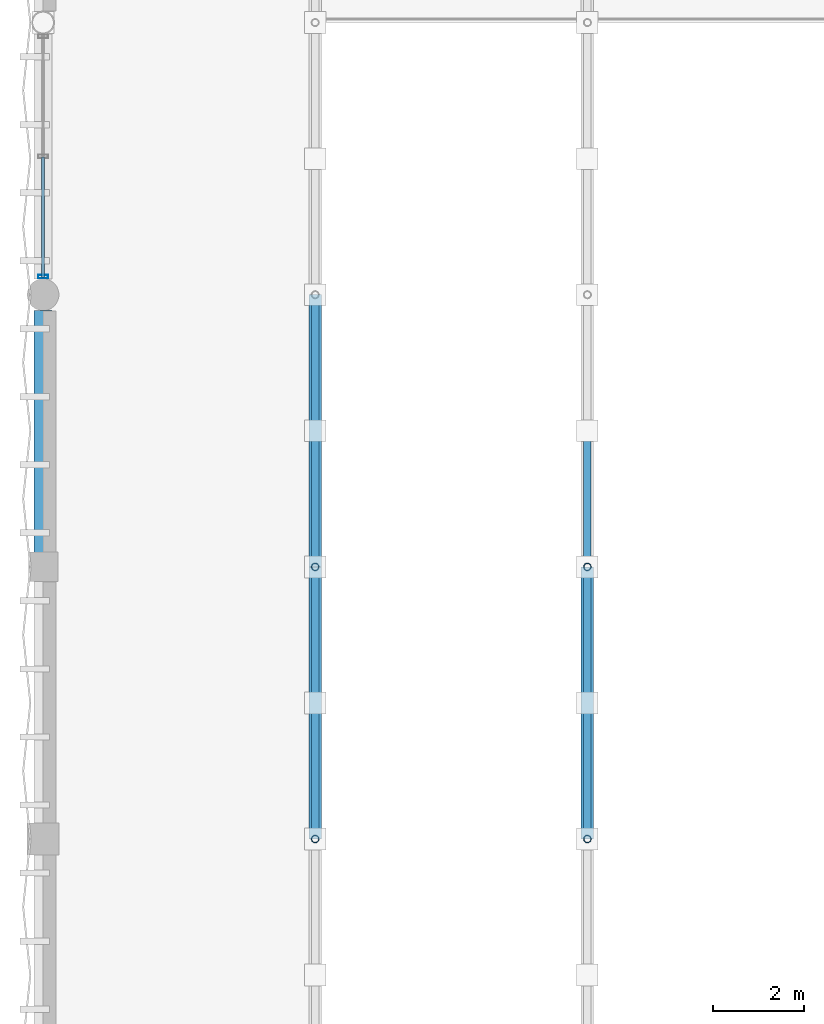
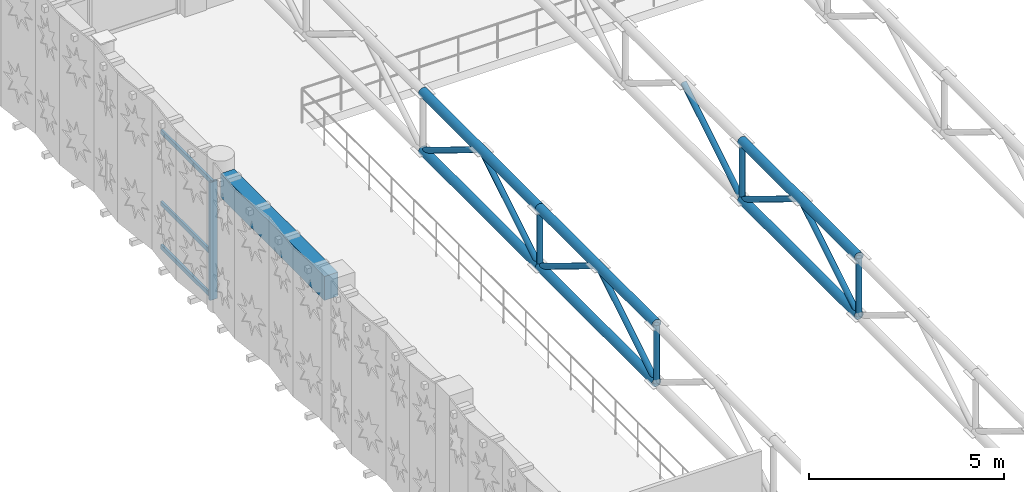
# One storey, part 40 of 123: 21 members, 1 beam, 1 element without a shape of its own.
"""IFC4 building model written with IfcOpenShell, lengths in metres."""

from ifc_helpers import new_model, si_unit, direction, frame, origin, origin_2d, place, context, subcontext, project, spatial, rectangle, hollow_rectangle, hollow_circle, extrude, material, material_profile, profile_set, type_object, element, aggregate, save


model = new_model("IFC4")

# Units and contexts
model_context = context("Model", 3, precision=1e-05, world=origin(), true_north=direction((0.0, 1.0)))
body_context = subcontext(model_context, "Body", "Model", "MODEL_VIEW")
ifc_project = project(units=[si_unit("LENGTHUNIT", "METRE"), si_unit("AREAUNIT", "SQUARE_METRE"), si_unit("VOLUMEUNIT", "CUBIC_METRE"), si_unit("PLANEANGLEUNIT", "RADIAN"), si_unit("MASSUNIT", "GRAM", prefix="KILO"), si_unit("THERMODYNAMICTEMPERATUREUNIT", "KELVIN"), si_unit("POWERUNIT", "WATT")], contexts=[model_context])

# Site, building, storey
site_placement = place(None, origin())
site = spatial("IfcSite", under=ifc_project, at=site_placement, CompositionType="ELEMENT")
building_placement = place(site_placement, origin())
building = spatial("IfcBuilding", under=site, at=building_placement, Name="Phaisarnlok Congress Hotel", CompositionType="ELEMENT")
storey_placement = place(building_placement, frame((0.0, 0.0, 15.0)))
storey = spatial("IfcBuildingStorey", under=building, at=storey_placement, Name="L03", CompositionType="ELEMENT", Elevation=15.0)

# Curtain wall, members
ifc_material_1 = material(Name="Thermally Broken Unitised Aluminium & Low-E Glazing", Category="aluminium")
curtain_wall_type = type_object("IfcCurtainWallType", Name="CW-UNIT-31", PredefinedType="NOTDEFINED", material=ifc_material_1)
curtain_wall_placement = place(storey_placement, origin())
curtain_wall = element("IfcCurtainWall", 1, at=curtain_wall_placement, inside=storey, type_object=curtain_wall_type, Name="Unitised curtain wall CW-31 (L03)", PredefinedType="NOTDEFINED")
ifc_material_2 = material(Name="Anodised Aluminium Alloy 6063-T6", Category="aluminium")
ifc_material_profile_1 = material_profile(ifc_material_2, hollow_rectangle(XDim=0.074951171875, YDim=0.219970703125, WallThickness=0.0048828125, at=origin_2d()), Name="ALU-M 75x220x5")
ifc_profile_set_1 = profile_set([ifc_material_profile_1], Name="Anodised Aluminium Alloy 6063-T6")
member_type_1 = type_object("IfcMemberType", Name="CWM-220", PredefinedType="MULLION", material=ifc_profile_set_1)
member_1_placement = place(storey_placement, frame((0.0, 108.39990234375, 0.0), z_axis=(0.0, 0.0, 1.0), x_axis=(0.0, -1.0, 0.0)))
member_1 = element("IfcMember", 2, at=member_1_placement, type_object=member_type_1, Name="Curtain wall mullion CWM-02", PredefinedType="MULLION", context=body_context, shape_type="SweptSolid", body=[
    extrude(hollow_rectangle(XDim=0.074951171875, YDim=0.219970703125, WallThickness=0.0048828125, at=origin_2d()), origin(), (0.0, 0.0, 1.0), 3.699951171875),
])
ifc_material_profile_2 = material_profile(ifc_material_2, hollow_rectangle(XDim=0.06494140625, YDim=0.139892578125, WallThickness=0.00390625, at=origin_2d()), Name="ALU-T 65x140x4")
ifc_profile_set_2 = profile_set([ifc_material_profile_2], Name="Anodised Aluminium Alloy 6063-T6")
member_type_2 = type_object("IfcMemberType", Name="CWT-150", PredefinedType="USERDEFINED", material=ifc_profile_set_2)
member_2_placement = place(storey_placement, frame((0.0, 111.032958984375, 0.050048828125), z_axis=(0.0, -1.0, 0.0), x_axis=(1.0, 0.0, 0.0)))
member_2 = element("IfcMember", 3, at=member_2_placement, type_object=member_type_2, Name="Curtain wall transom CWT-01", ObjectType="TRANSOM", PredefinedType="USERDEFINED", context=body_context, shape_type="SweptSolid", body=[
    extrude(hollow_rectangle(XDim=0.06494140625, YDim=0.139892578125, WallThickness=0.00390625, at=origin_2d()), origin(), (0.0, 0.0, 1.0), 2.657958984375),
])
member_3_placement = place(storey_placement, frame((0.0, 111.032958984375, 1.406005859375), z_axis=(0.0, -1.0, 0.0), x_axis=(1.0, 0.0, 0.0)))
member_3 = element("IfcMember", 4, at=member_3_placement, type_object=member_type_2, Name="Curtain wall transom CWT-01", ObjectType="TRANSOM", PredefinedType="USERDEFINED", context=body_context, shape_type="SweptSolid", body=[
    extrude(hollow_rectangle(XDim=0.06494140625, YDim=0.139892578125, WallThickness=0.00390625, at=origin_2d()), origin(), (0.0, 0.0, 1.0), 2.657958984375),
])
member_4_placement = place(storey_placement, frame((0.0, 111.032958984375, 3.64990234375), z_axis=(0.0, -1.0, 0.0), x_axis=(1.0, 0.0, 0.0)))
member_4 = element("IfcMember", 5, at=member_4_placement, type_object=member_type_2, Name="Curtain wall transom CWT-01", ObjectType="TRANSOM", PredefinedType="USERDEFINED", context=body_context, shape_type="SweptSolid", body=[
    extrude(hollow_rectangle(XDim=0.06494140625, YDim=0.139892578125, WallThickness=0.00390625, at=origin_2d()), origin(), (0.0, 0.0, 1.0), 2.657958984375),
])
aggregate(curtain_wall, [member_1, member_2, member_3, member_4])

# Members
ifc_material_3 = material(Name="Steel S355", Category="steel")
ifc_material_profile_3 = material_profile(ifc_material_3, hollow_circle(Radius=0.084228515625, WallThickness=0.010009765625, at=origin_2d()), Name="CHS 168.3x10")
ifc_profile_set_3 = profile_set([ifc_material_profile_3], Name="Steel S355")
member_type_3 = type_object("IfcMemberType", Name="MEM-BRC-CHS168", PredefinedType="BRACE", material=ifc_profile_set_3)
member_5_placement = place(storey_placement, frame((6.0, 96.0, 2.800048828125), z_axis=(0.0, 0.0, 1.0), x_axis=(1.0, 0.0, 0.0)))
element("IfcMember", 6, at=member_5_placement, inside=storey, type_object=member_type_3, Name="Spa pavilion truss vertical TB-01", PredefinedType="BRACE", context=body_context, shape_type="SweptSolid", body=[
    extrude(hollow_circle(Radius=0.084228515625, WallThickness=0.010009765625, at=origin_2d()), origin(), (0.0, 0.0, 1.0), 1.829833984375),
])
for number, where, z_axis, x_axis, name in (
    (7, (6.0, 96.0, 2.800048828125), (0.0, 0.853724612577, 0.520724769797), (-1.0, 0.0, 0.0), "Spa pavilion truss diagonal TB-01"),
    (8, (6.0, 102.0, 2.800048828125), (0.0, -0.853724612577, 0.520724769797), (1.0, 0.0, 0.0), "Spa pavilion truss diagonal TB-01"),
):
    element("IfcMember", number, at=place(storey_placement, frame(where, z_axis=z_axis, x_axis=x_axis)), inside=storey, type_object=member_type_3, Name=name, PredefinedType="BRACE", context=body_context, shape_type="SweptSolid", body=[
        extrude(hollow_circle(Radius=0.084228515625, WallThickness=0.010009765625, at=origin_2d()), origin(), (0.0, 0.0, 1.0), 3.513916015625),
    ])
member_6_placement = place(storey_placement, frame((6.0, 102.0, 2.800048828125), z_axis=(0.0, 0.0, 1.0), x_axis=(1.0, 0.0, 0.0)))
element("IfcMember", 9, at=member_6_placement, inside=storey, type_object=member_type_3, Name="Spa pavilion truss vertical TB-01", PredefinedType="BRACE", context=body_context, shape_type="SweptSolid", body=[
    extrude(hollow_circle(Radius=0.084228515625, WallThickness=0.010009765625, at=origin_2d()), origin(), (0.0, 0.0, 1.0), 1.829833984375),
])
for number, where, z_axis, x_axis, name in (
    (10, (6.0, 102.0, 2.800048828125), (0.0, 0.853724612577, 0.520724769797), (-1.0, 0.0, 0.0), "Spa pavilion truss diagonal TB-01"),
    (11, (6.0, 108.0, 2.800048828125), (0.0, -0.853724612577, 0.520724769797), (1.0, 0.0, 0.0), "Spa pavilion truss diagonal TB-01"),
):
    element("IfcMember", number, at=place(storey_placement, frame(where, z_axis=z_axis, x_axis=x_axis)), inside=storey, type_object=member_type_3, Name=name, PredefinedType="BRACE", context=body_context, shape_type="SweptSolid", body=[
        extrude(hollow_circle(Radius=0.084228515625, WallThickness=0.010009765625, at=origin_2d()), origin(), (0.0, 0.0, 1.0), 3.513916015625),
    ])
member_7_placement = place(storey_placement, frame((12.0, 96.0, 2.800048828125), z_axis=(0.0, 0.0, 1.0), x_axis=(1.0, 0.0, 0.0)))
element("IfcMember", 12, at=member_7_placement, inside=storey, type_object=member_type_3, Name="Spa pavilion truss vertical TB-01", PredefinedType="BRACE", context=body_context, shape_type="SweptSolid", body=[
    extrude(hollow_circle(Radius=0.084228515625, WallThickness=0.010009765625, at=origin_2d()), origin(), (0.0, 0.0, 1.0), 1.829833984375),
])
for number, where, z_axis, x_axis, name in (
    (13, (12.0, 96.0, 2.800048828125), (0.0, 0.853724612577, 0.520724769797), (-1.0, 0.0, 0.0), "Spa pavilion truss diagonal TB-01"),
    (14, (12.0, 102.0, 2.800048828125), (0.0, -0.853724612577, 0.520724769797), (1.0, 0.0, 0.0), "Spa pavilion truss diagonal TB-01"),
):
    element("IfcMember", number, at=place(storey_placement, frame(where, z_axis=z_axis, x_axis=x_axis)), inside=storey, type_object=member_type_3, Name=name, PredefinedType="BRACE", context=body_context, shape_type="SweptSolid", body=[
        extrude(hollow_circle(Radius=0.084228515625, WallThickness=0.010009765625, at=origin_2d()), origin(), (0.0, 0.0, 1.0), 3.513916015625),
    ])
member_8_placement = place(storey_placement, frame((12.0, 102.0, 2.800048828125), z_axis=(0.0, 0.0, 1.0), x_axis=(1.0, 0.0, 0.0)))
element("IfcMember", 15, at=member_8_placement, inside=storey, type_object=member_type_3, Name="Spa pavilion truss vertical TB-01", PredefinedType="BRACE", context=body_context, shape_type="SweptSolid", body=[
    extrude(hollow_circle(Radius=0.084228515625, WallThickness=0.010009765625, at=origin_2d()), origin(), (0.0, 0.0, 1.0), 1.829833984375),
])
member_9_placement = place(storey_placement, frame((12.0, 102.0, 2.800048828125), z_axis=(0.0, 0.853724612577, 0.520724769797), x_axis=(-1.0, 0.0, 0.0)))
element("IfcMember", 16, at=member_9_placement, inside=storey, type_object=member_type_3, Name="Spa pavilion truss diagonal TB-01", PredefinedType="BRACE", context=body_context, shape_type="SweptSolid", body=[
    extrude(hollow_circle(Radius=0.084228515625, WallThickness=0.010009765625, at=origin_2d()), origin(), (0.0, 0.0, 1.0), 3.513916015625),
])
ifc_material_profile_4 = material_profile(ifc_material_3, hollow_circle(Radius=0.136474609375, WallThickness=0.01611328125, at=origin_2d()), Name="CHS 273x16")
ifc_profile_set_4 = profile_set([ifc_material_profile_4], Name="Steel S355")
member_type_4 = type_object("IfcMemberType", Name="MEM-CHD-CHS273", PredefinedType="CHORD", material=ifc_profile_set_4)
for number, where, z_axis, x_axis, name in (
    (17, (6.0, 96.0, 4.6298828125), (0.0, 1.0, 0.0), (-1.0, 0.0, 0.0), "Spa pavilion truss top chord TC-03"),
    (18, (6.0, 96.0, 2.800048828125), (0.0, 1.0, 0.0), (-1.0, 0.0, 0.0), "Spa pavilion truss bottom chord TC-03"),
    (19, (6.0, 102.0, 4.6298828125), (0.0, 1.0, 0.0), (-1.0, 0.0, 0.0), "Spa pavilion truss top chord TC-03"),
    (20, (6.0, 102.0, 2.800048828125), (0.0, 1.0, 0.0), (-1.0, 0.0, 0.0), "Spa pavilion truss bottom chord TC-03"),
    (21, (12.0, 96.0, 4.6298828125), (0.0, 1.0, 0.0), (-1.0, 0.0, 0.0), "Spa pavilion truss top chord TC-03"),
    (22, (12.0, 96.0, 2.800048828125), (0.0, 1.0, 0.0), (-1.0, 0.0, 0.0), "Spa pavilion truss bottom chord TC-03"),
):
    element("IfcMember", number, at=place(storey_placement, frame(where, z_axis=z_axis, x_axis=x_axis)), inside=storey, type_object=member_type_4, Name=name, PredefinedType="CHORD", context=body_context, shape_type="SweptSolid", body=[
        extrude(hollow_circle(Radius=0.136474609375, WallThickness=0.01611328125, at=origin_2d()), origin(), (0.0, 0.0, 1.0), 6.0),
    ])

# Beam
ifc_material_4 = material(Name="Concrete C40/50", Category="concrete")
ifc_material_profile_5 = material_profile(ifc_material_4, rectangle(XDim=0.39990234375, YDim=0.75, at=origin_2d()), Name="RC 400x750")
ifc_profile_set_5 = profile_set([ifc_material_profile_5], Name="Concrete C40/50")
beam_type = type_object("IfcBeamType", Name="SP-RC-400x750", PredefinedType="SPANDREL", material=ifc_profile_set_5)
beam_placement = place(storey_placement, frame((0.0, 102.320068359375, 4.074951171875), z_axis=(0.0, 1.0, 0.0), x_axis=(-1.0, 0.0, 0.0)))
element("IfcBeam", 23, at=beam_placement, inside=storey, type_object=beam_type, Name="Beam SP-02", PredefinedType="SPANDREL", context=body_context, shape_type="SweptSolid", body=[
    extrude(rectangle(XDim=0.39990234375, YDim=0.75, at=origin_2d()), origin(), (0.0, 0.0, 1.0), 5.3349609375),
])

save(model, "model.ifc")
